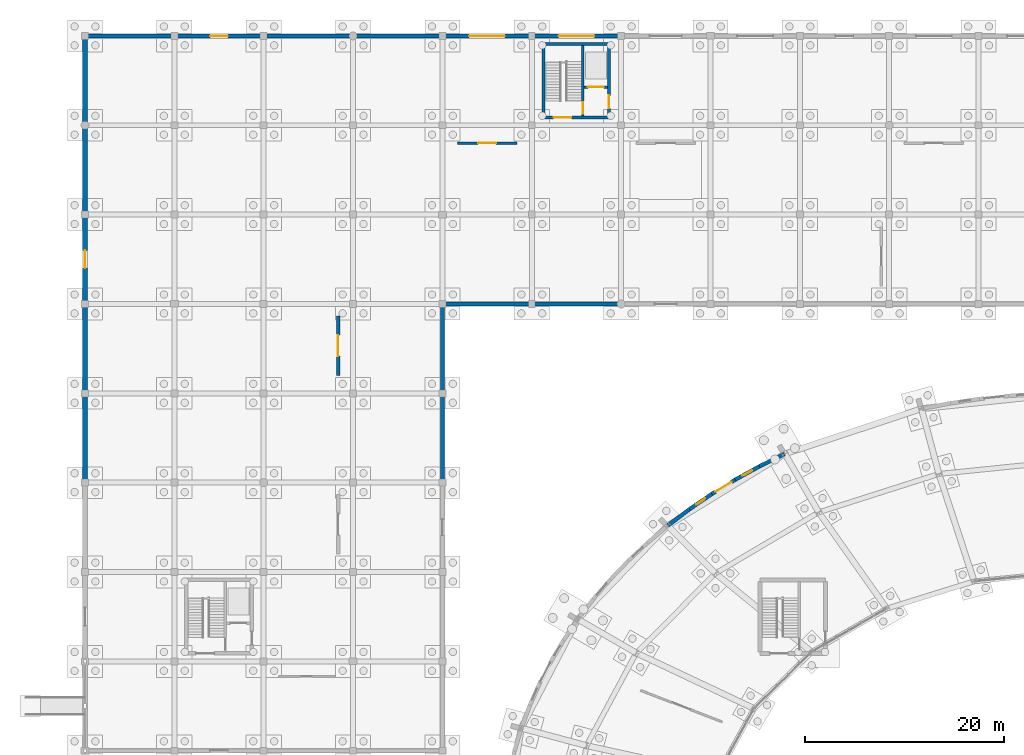
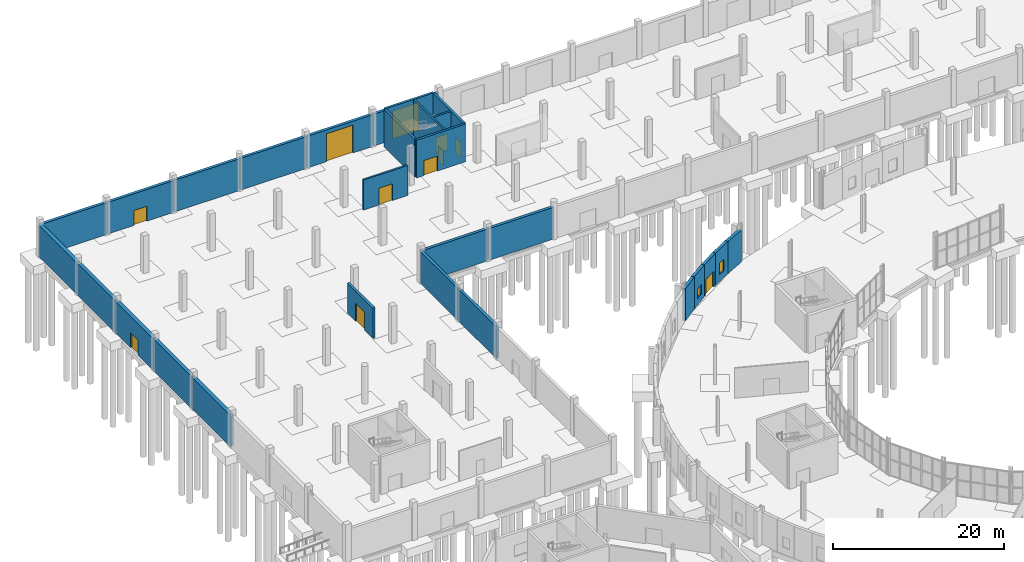
# One storey, part 97 of 118: 28 walls, 11 doors, 2 windows, 13 openings.
"""IFC4 building model written with IfcOpenShell, lengths in metres."""

from ifc_helpers import new_model, si_unit, direction, frame, frame_2d, origin, place, context, subcontext, project, spatial, rectangle, extrude, material, layer, layer_set, type_object, element, fill, save


model = new_model("IFC4")

# Units and contexts
model_context = context("Model", 3, precision=1e-05, world=origin(), true_north=direction((0.0, 1.0)))
body_context = subcontext(model_context, "Body", "Model", "MODEL_VIEW")
ifc_project = project(units=[si_unit("LENGTHUNIT", "METRE"), si_unit("AREAUNIT", "SQUARE_METRE"), si_unit("VOLUMEUNIT", "CUBIC_METRE"), si_unit("PLANEANGLEUNIT", "RADIAN"), si_unit("MASSUNIT", "GRAM", prefix="KILO")], contexts=[model_context])

# Site, building, storey
site_placement = place(None, origin())
site = spatial("IfcSite", under=ifc_project, at=site_placement, CompositionType="ELEMENT")
building_placement = place(site_placement, origin())
building = spatial("IfcBuilding", under=site, at=building_placement, Name="Kildeholm Park Wholesale Market", CompositionType="ELEMENT")
storey_placement = place(building_placement, origin())
storey = spatial("IfcBuildingStorey", under=building, at=storey_placement, Name="L00", CompositionType="ELEMENT", Elevation=0.0)

# Wall
ifc_material_1 = material(Name="Precast concrete C40/50 insulated cold-store envelope wall", Category="concrete")
ifc_layer_1 = layer(ifc_material_1, 0.3798828125)
ifc_layer_set_1 = layer_set([ifc_layer_1], Name="Precast concrete C40/50 insulated cold-store envelope wall")
wall_type_1 = type_object("IfcWallType", Name="Exterior wall W-CS1 380 mm", PredefinedType="SOLIDWALL", material=ifc_layer_set_1)
wall_1_placement = place(storey_placement, frame((0.06005859375, 171.0, 0.0), z_axis=(0.0, 0.0, 1.0), x_axis=(1.0, 0.0, 0.0)))
element("IfcWall", 1, at=wall_1_placement, inside=storey, type_object=wall_type_1, Name="Exterior wall V4N-L00.1 WL-0317", PredefinedType="SOLIDWALL", context=body_context, shape_type="SweptSolid", body=[
    extrude(rectangle(XDim=8.8798828125, YDim=0.3798828125, at=frame_2d((4.43994140625, 0.0))), origin(), (0.0, 0.0, 1.0), 4.550048828125),
])

# Wall, opening, door
wall_2_placement = place(storey_placement, frame((9.06005859375, 171.0, 0.0), z_axis=(0.0, 0.0, 1.0), x_axis=(1.0, 0.0, 0.0)))
wall_2 = element("IfcWall", 2, at=wall_2_placement, inside=storey, type_object=wall_type_1, Name="Exterior wall V4N-L00.2 WL-0318", PredefinedType="SOLIDWALL", context=body_context, shape_type="SweptSolid", body=[
    extrude(rectangle(XDim=8.8798828125, YDim=0.3798828125, at=frame_2d((4.43994140625, 0.0))), origin(), (0.0, 0.0, 1.0), 4.550048828125),
])
opening_1_placement = place(wall_2_placement, frame((3.5400390625, 0.0, 0.0)))
opening_1 = element("IfcOpeningElement", 3, at=opening_1_placement, cuts=wall_2, Name="Opening D-EX05", PredefinedType="OPENING", context=body_context, shape_type="SweptSolid", body=[
    extrude(rectangle(XDim=1.800048828125, YDim=2.14990234375, at=frame_2d((0.89990234375, 1.074951171875))), frame((0.0, 0.199951171875, 0.0), z_axis=(0.0, -1.0, 0.0), x_axis=(1.0, 0.0, 0.0)), (0.0, 0.0, 1.0), 0.39990234375),
])
ifc_material_2 = material(Name="Painted galvanized steel escape doorset", Category="steel")
door_type_1 = type_object("IfcDoorType", Name="Exterior door D-EX05 1800x2150", OperationType="NOTDEFINED", PredefinedType="DOOR", material=ifc_material_2)
door_1_placement = place(opening_1_placement, origin())
door_1 = element("IfcDoor", 4, at=door_1_placement, inside=storey, type_object=door_type_1, Name="Door V4N-L00.2 DR-0019 WL-0318", OperationType="DOUBLE_DOOR_SINGLE_SWING", OverallHeight=2.14990234375, OverallWidth=1.800048828125, PredefinedType="DOOR", context=body_context, shape_type="SweptSolid", body=[
    extrude(rectangle(XDim=1.800048828125, YDim=2.14990234375, at=frame_2d((0.89990234375, 1.074951171875))), frame((0.0, 0.02490234375, 0.0), z_axis=(0.0, -1.0, 0.0), x_axis=(1.0, 0.0, 0.0)), (0.0, 0.0, 1.0), 0.050048828125),
])
fill(opening_1, door_1)

# Walls
for number, where, z_axis, x_axis, name in (
    (5, (18.06005859375, 171.0, 0.0), (0.0, 0.0, 1.0), (1.0, 0.0, 0.0), "Exterior wall V4N-L00.3 WL-0319"),
    (6, (27.06005859375, 171.0, 0.0), (0.0, 0.0, 1.0), (1.0, 0.0, 0.0), "Exterior wall V4N-L00.4 WL-0320"),
):
    element("IfcWall", number, at=place(storey_placement, frame(where, z_axis=z_axis, x_axis=x_axis)), inside=storey, type_object=wall_type_1, Name=name, PredefinedType="SOLIDWALL", context=body_context, shape_type="SweptSolid", body=[
        extrude(rectangle(XDim=8.8798828125, YDim=0.3798828125, at=frame_2d((4.43994140625, 0.0))), origin(), (0.0, 0.0, 1.0), 4.550048828125),
    ])

# Wall, opening, door
wall_3_placement = place(storey_placement, frame((36.06005859375, 171.0, 0.0), z_axis=(0.0, 0.0, 1.0), x_axis=(1.0, 0.0, 0.0)))
wall_3 = element("IfcWall", 7, at=wall_3_placement, inside=storey, type_object=wall_type_1, Name="Exterior wall V4N-L00.5 WL-0321", PredefinedType="SOLIDWALL", context=body_context, shape_type="SweptSolid", body=[
    extrude(rectangle(XDim=8.8798828125, YDim=0.3798828125, at=frame_2d((4.43994140625, 0.0))), origin(), (0.0, 0.0, 1.0), 4.550048828125),
])
opening_2_placement = place(wall_3_placement, frame((2.639892578125, 0.0, 0.0)))
opening_2 = element("IfcOpeningElement", 8, at=opening_2_placement, cuts=wall_3, Name="Opening G-DK02", PredefinedType="OPENING", context=body_context, shape_type="SweptSolid", body=[
    extrude(rectangle(XDim=3.60009765625, YDim=4.0, at=frame_2d((1.800048828125, 2.0))), frame((0.0, 0.199951171875, 0.0), z_axis=(0.0, -1.0, 0.0), x_axis=(1.0, 0.0, 0.0)), (0.0, 0.0, 1.0), 0.39990234375),
])
ifc_material_3 = material(Name="Insulated galvanized steel HGV dock roller shutter", Category="steel")
door_type_2 = type_object("IfcDoorType", Name="Exterior gate G-DK02 3600x4000", OperationType="NOTDEFINED", PredefinedType="GATE", material=ifc_material_3)
door_2_placement = place(opening_2_placement, origin())
door_2 = element("IfcDoor", 9, at=door_2_placement, inside=storey, type_object=door_type_2, Name="Door V4N-L00.5 DR-0020 WL-0321", OperationType="ROLLINGUP", OverallHeight=4.0, OverallWidth=3.60009765625, PredefinedType="GATE", context=body_context, shape_type="SweptSolid", body=[
    extrude(rectangle(XDim=3.60009765625, YDim=4.0, at=frame_2d((1.800048828125, 2.0))), frame((0.0, 0.02490234375, 0.0), z_axis=(0.0, -1.0, 0.0), x_axis=(1.0, 0.0, 0.0)), (0.0, 0.0, 1.0), 0.050048828125),
])
fill(opening_2, door_2)

wall_4_placement = place(storey_placement, frame((45.06005859375, 171.0, 0.0), z_axis=(0.0, 0.0, 1.0), x_axis=(1.0, 0.0, 0.0)))
wall_4 = element("IfcWall", 10, at=wall_4_placement, inside=storey, type_object=wall_type_1, Name="Exterior wall V4N-L00.6 WL-0322", PredefinedType="SOLIDWALL", context=body_context, shape_type="SweptSolid", body=[
    extrude(rectangle(XDim=8.8798828125, YDim=0.3798828125, at=frame_2d((4.43994140625, 0.0))), origin(), (0.0, 0.0, 1.0), 4.550048828125),
])
opening_3_placement = place(wall_4_placement, frame((2.639892578125, 0.0, 0.0)))
opening_3 = element("IfcOpeningElement", 11, at=opening_3_placement, cuts=wall_4, Name="Opening G-DK02", PredefinedType="OPENING", context=body_context, shape_type="SweptSolid", body=[
    extrude(rectangle(XDim=3.60009765625, YDim=4.0, at=frame_2d((1.800048828125, 2.0))), frame((0.0, 0.199951171875, 0.0), z_axis=(0.0, -1.0, 0.0), x_axis=(1.0, 0.0, 0.0)), (0.0, 0.0, 1.0), 0.39990234375),
])
door_3_placement = place(opening_3_placement, origin())
door_3 = element("IfcDoor", 12, at=door_3_placement, inside=storey, type_object=door_type_2, Name="Door V4N-L00.6 DR-0021 WL-0322", OperationType="ROLLINGUP", OverallHeight=4.0, OverallWidth=3.60009765625, PredefinedType="GATE", context=body_context, shape_type="SweptSolid", body=[
    extrude(rectangle(XDim=3.60009765625, YDim=4.0, at=frame_2d((1.800048828125, 2.0))), frame((0.0, 0.02490234375, 0.0), z_axis=(0.0, -1.0, 0.0), x_axis=(1.0, 0.0, 0.0)), (0.0, 0.0, 1.0), 0.050048828125),
])
fill(opening_3, door_3)

# Walls
for number, where, z_axis, x_axis, name in (
    (13, (36.0, 126.06005859375, 0.0), (0.0, 0.0, 1.0), (0.0, 1.0, 0.0), "Exterior wall V4WE-L00.4 WL-0416"),
    (14, (36.0, 135.06005859375, 0.0), (0.0, 0.0, 1.0), (0.0, 1.0, 0.0), "Exterior wall V4WE-L00.5 WL-0417"),
    (15, (36.06005859375, 144.0, 0.0), (0.0, 0.0, 1.0), (1.0, 0.0, 0.0), "Exterior wall V4S-L00.1 WL-0437"),
    (16, (45.06005859375, 144.0, 0.0), (0.0, 0.0, 1.0), (1.0, 0.0, 0.0), "Exterior wall V4S-L00.2 WL-0438"),
):
    element("IfcWall", number, at=place(storey_placement, frame(where, z_axis=z_axis, x_axis=x_axis)), inside=storey, type_object=wall_type_1, Name=name, PredefinedType="SOLIDWALL", context=body_context, shape_type="SweptSolid", body=[
        extrude(rectangle(XDim=8.8798828125, YDim=0.3798828125, at=frame_2d((4.43994140625, 0.0))), origin(), (0.0, 0.0, 1.0), 4.550048828125),
    ])
ifc_material_4 = material(Name="Precast concrete C40/50 deep-freeze thermal envelope wall", Category="concrete")
ifc_layer_2 = layer(ifc_material_4, 0.47998046875)
ifc_layer_set_2 = layer_set([ifc_layer_2], Name="Precast concrete C40/50 deep-freeze thermal envelope wall")
wall_type_2 = type_object("IfcWallType", Name="Exterior wall W-CS2 480 mm", PredefinedType="SOLIDWALL", material=ifc_layer_set_2)
for number, where, z_axis, x_axis, name in (
    (17, (0.0, 126.06005859375, 0.0), (0.0, 0.0, 1.0), (0.0, 1.0, 0.0), "Exterior wall V4W-L00.4 WL-0380"),
    (18, (0.0, 135.06005859375, 0.0), (0.0, 0.0, 1.0), (0.0, 1.0, 0.0), "Exterior wall V4W-L00.5 WL-0381"),
):
    element("IfcWall", number, at=place(storey_placement, frame(where, z_axis=z_axis, x_axis=x_axis)), inside=storey, type_object=wall_type_2, Name=name, PredefinedType="SOLIDWALL", context=body_context, shape_type="SweptSolid", body=[
        extrude(rectangle(XDim=8.8798828125, YDim=0.47998046875, at=frame_2d((4.43994140625, 0.0))), origin(), (0.0, 0.0, 1.0), 4.550048828125),
    ])

# Wall, opening, door
wall_5_placement = place(storey_placement, frame((0.0, 144.06005859375, 0.0), z_axis=(0.0, 0.0, 1.0), x_axis=(0.0, 1.0, 0.0)))
wall_5 = element("IfcWall", 19, at=wall_5_placement, inside=storey, type_object=wall_type_2, Name="Exterior wall V4W-L00.6 WL-0382", PredefinedType="SOLIDWALL", context=body_context, shape_type="SweptSolid", body=[
    extrude(rectangle(XDim=8.8798828125, YDim=0.47998046875, at=frame_2d((4.43994140625, 0.0))), origin(), (0.0, 0.0, 1.0), 4.550048828125),
])
opening_4_placement = place(wall_5_placement, frame((3.5400390625, 0.0, 0.0)))
opening_4 = element("IfcOpeningElement", 20, at=opening_4_placement, cuts=wall_5, Name="Opening D-EX05", PredefinedType="OPENING", context=body_context, shape_type="SweptSolid", body=[
    extrude(rectangle(XDim=1.800048828125, YDim=2.14990234375, at=frame_2d((0.89990234375, 1.074951171875))), frame((0.0, 0.25, 0.0), z_axis=(0.0, -1.0, 0.0), x_axis=(1.0, 0.0, 0.0)), (0.0, 0.0, 1.0), 0.5),
])
door_4_placement = place(opening_4_placement, origin())
door_4 = element("IfcDoor", 21, at=door_4_placement, inside=storey, type_object=door_type_1, Name="Door V4W-L00.6 DR-0036 WL-0382", OperationType="DOUBLE_DOOR_SINGLE_SWING", OverallHeight=2.14990234375, OverallWidth=1.800048828125, PredefinedType="DOOR", context=body_context, shape_type="SweptSolid", body=[
    extrude(rectangle(XDim=1.800048828125, YDim=2.14990234375, at=frame_2d((0.89990234375, 1.074951171875))), frame((0.0, 0.02490234375, 0.0), z_axis=(0.0, -1.0, 0.0), x_axis=(1.0, 0.0, 0.0)), (0.0, 0.0, 1.0), 0.050048828125),
])
fill(opening_4, door_4)

# Walls
for number, where, z_axis, x_axis, name in (
    (22, (0.0, 153.06005859375, 0.0), (0.0, 0.0, 1.0), (0.0, 1.0, 0.0), "Exterior wall V4W-L00.7 WL-0383"),
    (23, (0.0, 162.06005859375, 0.0), (0.0, 0.0, 1.0), (0.0, 1.0, 0.0), "Exterior wall V4W-L00.8 WL-0384"),
):
    element("IfcWall", number, at=place(storey_placement, frame(where, z_axis=z_axis, x_axis=x_axis)), inside=storey, type_object=wall_type_2, Name=name, PredefinedType="SOLIDWALL", context=body_context, shape_type="SweptSolid", body=[
        extrude(rectangle(XDim=8.8798828125, YDim=0.47998046875, at=frame_2d((4.43994140625, 0.0))), origin(), (0.0, 0.0, 1.0), 4.550048828125),
    ])
ifc_material_5 = material(Name="Bornholm granite stone plinth and Concrete C35/45 wall", Category="masonry")
ifc_layer_3 = layer(ifc_material_5, 0.39990234375)
ifc_layer_set_3 = layer_set([ifc_layer_3], Name="Bornholm granite stone plinth and Concrete C35/45 wall")
wall_type_3 = type_object("IfcWallType", Name="Exterior wall W-EX2 400 mm", PredefinedType="SOLIDWALL", material=ifc_layer_set_3)
wall_6_placement = place(storey_placement, frame((70.462890625, 128.886962890625, 0.0), z_axis=(0.0, 0.0, 1.0), x_axis=(-0.898004688797, -0.439985884886, 0.0)))
element("IfcWall", 24, at=wall_6_placement, inside=storey, type_object=wall_type_3, Name="Produce ring outer wall 9.1 WL-0063", PredefinedType="SOLIDWALL", context=body_context, shape_type="SweptSolid", body=[
    extrude(rectangle(XDim=2.81591796875, YDim=0.39990234375, at=frame_2d((1.407958984375, 0.0))), origin(), (0.0, 0.0, 1.0), 4.60009765625),
])
wall_7_placement = place(storey_placement, frame((60.87890625, 123.326904296875, 0.0), z_axis=(0.0, 0.0, 1.0), x_axis=(-0.797585068324, -0.603206481054, 0.0)))
element("IfcWall", 25, at=wall_7_placement, inside=storey, type_object=wall_type_3, Name="Produce ring outer wall 9.5 WL-0067", PredefinedType="SOLIDWALL", context=body_context, shape_type="SweptSolid", body=[
    extrude(rectangle(XDim=2.700439453125, YDim=0.39990234375, at=frame_2d((1.35009765625, 0.0))), origin(), (0.0, 0.0, 1.0), 4.60009765625),
])

# Wall, opening, window
ifc_material_6 = material(Name="Bornholm granite and ceramic-banded hall facade wall", Category="masonry")
ifc_layer_4 = layer(ifc_material_6, 0.389892578125)
ifc_layer_set_4 = layer_set([ifc_layer_4], Name="Bornholm granite and ceramic-banded hall facade wall")
wall_type_4 = type_object("IfcWallType", Name="Exterior wall W-EX5 390 mm", PredefinedType="SOLIDWALL", material=ifc_layer_set_4)
wall_8_placement = place(storey_placement, frame((67.93408203125, 127.64794921875, 0.0), z_axis=(0.0, 0.0, 1.0), x_axis=(-0.876631400762, -0.481162537193, 0.0)))
wall_8 = element("IfcWall", 26, at=wall_8_placement, inside=storey, type_object=wall_type_4, Name="Produce ring outer wall 9.2 WL-0064", PredefinedType="SOLIDWALL", context=body_context, shape_type="SweptSolid", body=[
    extrude(rectangle(XDim=2.7890625, YDim=0.389892578125, at=frame_2d((1.39453125, 0.0))), origin(), (0.0, 0.0, 1.0), 4.60009765625),
])
opening_5_placement = place(wall_8_placement, frame((0.844970703125, 0.0, 0.949951171875)))
opening_5 = element("IfcOpeningElement", 27, at=opening_5_placement, cuts=wall_8, Name="Opening WN-19", PredefinedType="OPENING", context=body_context, shape_type="SweptSolid", body=[
    extrude(rectangle(XDim=1.10009765625, YDim=1.64990234375, at=frame_2d((0.550048828125, 0.824951171875))), frame((0.0, 0.204833984375, 0.0), z_axis=(0.0, -1.0, 0.0), x_axis=(1.0, 0.0, 0.0)), (0.0, 0.0, 1.0), 0.409912109375),
])
ifc_material_7 = material(Name="Thermally broken aluminium and triple-glazed low-E glass", Category="aluminium")
window_type_1 = type_object("IfcWindowType", Name="Window WN-19 1100x1650", PartitioningType="SINGLE_PANEL", PredefinedType="WINDOW", material=ifc_material_7)
window_1_placement = place(opening_5_placement, origin())
window_1 = element("IfcWindow", 28, at=window_1_placement, inside=storey, type_object=window_type_1, Name="Produce hall arcade window 9.1 WIN-0013", OverallHeight=1.64990234375, OverallWidth=1.10009765625, PartitioningType="SINGLE_PANEL", PredefinedType="WINDOW", context=body_context, shape_type="SweptSolid", body=[
    extrude(rectangle(XDim=1.10009765625, YDim=1.64990234375, at=frame_2d((0.550048828125, 0.824951171875))), frame((0.0, 0.030029296875, 0.0), z_axis=(0.0, -1.0, 0.0), x_axis=(1.0, 0.0, 0.0)), (0.0, 0.0, 1.0), 0.06005859375),
])
fill(opening_5, window_1)

# Wall, opening, door
wall_9_placement = place(storey_placement, frame((65.489013671875, 126.305908203125, 0.0), z_axis=(0.0, 0.0, 1.0), x_axis=(-0.852743581926, -0.522329765075, 0.0)))
wall_9 = element("IfcWall", 29, at=wall_9_placement, inside=storey, type_object=wall_type_4, Name="Produce ring outer wall 9.3 WL-0065", PredefinedType="SOLIDWALL", context=body_context, shape_type="SweptSolid", body=[
    extrude(rectangle(XDim=2.760498046875, YDim=0.389892578125, at=frame_2d((1.38037109375, 0.0))), origin(), (0.0, 0.0, 1.0), 4.60009765625),
])
opening_6_placement = place(wall_9_placement, frame((0.429931640625, 0.0, 0.0)))
opening_6 = element("IfcOpeningElement", 30, at=opening_6_placement, cuts=wall_9, Name="Opening D-EX09", PredefinedType="OPENING", context=body_context, shape_type="SweptSolid", body=[
    extrude(rectangle(XDim=1.89990234375, YDim=2.25, at=frame_2d((0.949951171875, 1.125))), frame((0.0, 0.204833984375, 0.0), z_axis=(0.0, -1.0, 0.0), x_axis=(1.0, 0.0, 0.0)), (0.0, 0.0, 1.0), 0.409912109375),
])
ifc_material_8 = material(Name="Anodised aluminium hall double entrance", Category="aluminium")
door_type_3 = type_object("IfcDoorType", Name="Exterior door D-EX09 1900x2250", OperationType="NOTDEFINED", PredefinedType="DOOR", material=ifc_material_8)
door_5_placement = place(opening_6_placement, frame((1.89990234375, 0.0, 0.0), z_axis=(0.0, 0.0, 1.0), x_axis=(-1.0, 0.0, 0.0)))
door_5 = element("IfcDoor", 31, at=door_5_placement, inside=storey, type_object=door_type_3, Name="Produce hall public exit 9 DR-0004 WL-0065", OperationType="DOUBLE_DOOR_SINGLE_SWING", OverallHeight=2.25, OverallWidth=1.89990234375, PredefinedType="DOOR", context=body_context, shape_type="SweptSolid", body=[
    extrude(rectangle(XDim=1.89990234375, YDim=2.25, at=frame_2d((0.949951171875, 1.125))), frame((0.0, 0.02490234375, 0.0), z_axis=(0.0, -1.0, 0.0), x_axis=(1.0, 0.0, 0.0)), (0.0, 0.0, 1.0), 0.050048828125),
])
fill(opening_6, door_5)

# Wall, opening, window
wall_10_placement = place(storey_placement, frame((63.135009765625, 124.864013671875, 0.0), z_axis=(0.0, 0.0, 1.0), x_axis=(-0.826422172457, -0.563050968271, 0.0)))
wall_10 = element("IfcWall", 32, at=wall_10_placement, inside=storey, type_object=wall_type_4, Name="Produce ring outer wall 9.4 WL-0066", PredefinedType="SOLIDWALL", context=body_context, shape_type="SweptSolid", body=[
    extrude(rectangle(XDim=2.72998046875, YDim=0.389892578125, at=frame_2d((1.364990234375, 0.0))), origin(), (0.0, 0.0, 1.0), 4.60009765625),
])
opening_7_placement = place(wall_10_placement, frame((0.840087890625, 0.0, 0.949951171875)))
opening_7 = element("IfcOpeningElement", 33, at=opening_7_placement, cuts=wall_10, Name="Opening WN-26", PredefinedType="OPENING", context=body_context, shape_type="SweptSolid", body=[
    extrude(rectangle(XDim=1.050048828125, YDim=1.35009765625, at=frame_2d((0.52490234375, 0.675048828125))), frame((0.0, 0.204833984375, 0.0), z_axis=(0.0, -1.0, 0.0), x_axis=(1.0, 0.0, 0.0)), (0.0, 0.0, 1.0), 0.409912109375),
])
window_type_2 = type_object("IfcWindowType", Name="Window WN-26 1050x1350", PartitioningType="SINGLE_PANEL", PredefinedType="WINDOW", material=ifc_material_7)
window_2_placement = place(opening_7_placement, origin())
window_2 = element("IfcWindow", 34, at=window_2_placement, inside=storey, type_object=window_type_2, Name="Produce hall arcade window 9.3 WIN-0014", OverallHeight=1.35009765625, OverallWidth=1.050048828125, PartitioningType="SINGLE_PANEL", PredefinedType="WINDOW", context=body_context, shape_type="SweptSolid", body=[
    extrude(rectangle(XDim=1.050048828125, YDim=1.35009765625, at=frame_2d((0.52490234375, 0.675048828125))), frame((0.0, 0.030029296875, 0.0), z_axis=(0.0, -1.0, 0.0), x_axis=(1.0, 0.0, 0.0)), (0.0, 0.0, 1.0), 0.06005859375),
])
fill(opening_7, window_2)

# Wall, opening, door
ifc_material_9 = material(Name="High-insulation chiller compartment wall")
ifc_layer_5 = layer(ifc_material_9, 0.260009765625)
ifc_layer_set_5 = layer_set([ifc_layer_5], Name="High-insulation chiller compartment wall")
wall_type_5 = type_object("IfcWallType", Name="Partition W-PT10 260 mm", PredefinedType="PARTITIONING", material=ifc_layer_set_5)
wall_11_placement = place(storey_placement, frame((37.5, 160.199951171875, 0.0), z_axis=(0.0, 0.0, 1.0), x_axis=(1.0, 0.0, 0.0)))
wall_11 = element("IfcWall", 35, at=wall_11_placement, inside=storey, type_object=wall_type_5, Name="Interior partition W-V4-L00-CSN01 WL-0970", PredefinedType="PARTITIONING", context=body_context, shape_type="SweptSolid", body=[
    extrude(rectangle(XDim=6.0, YDim=0.260009765625, at=frame_2d((3.0, 0.0))), origin(), (0.0, 0.0, 1.0), 4.300048828125),
])
opening_8_placement = place(wall_11_placement, frame((2.10009765625, 0.0, 0.0)))
opening_8 = element("IfcOpeningElement", 36, at=opening_8_placement, cuts=wall_11, Name="Opening D-CS01", PredefinedType="OPENING", context=body_context, shape_type="SweptSolid", body=[
    extrude(rectangle(XDim=1.800048828125, YDim=2.39990234375, at=frame_2d((0.89990234375, 1.199951171875))), frame((0.0, 0.139892578125, 0.0), z_axis=(0.0, -1.0, 0.0), x_axis=(1.0, 0.0, 0.0)), (0.0, 0.0, 1.0), 0.280029296875),
])
ifc_material_10 = material(Name="Insulated stainless-steel sliding cold-store door", Category="steel")
door_type_4 = type_object("IfcDoorType", Name="Interior door D-CS01 1800x2400", OperationType="NOTDEFINED", PredefinedType="DOOR", material=ifc_material_10)
door_6_placement = place(opening_8_placement, origin())
door_6 = element("IfcDoor", 37, at=door_6_placement, inside=storey, type_object=door_type_4, Name="Interior door V4-L00-CSN01 DR-0245 WL-0970", OperationType="SLIDING_TO_LEFT", OverallHeight=2.39990234375, OverallWidth=1.800048828125, PredefinedType="DOOR", context=body_context, shape_type="SweptSolid", body=[
    extrude(rectangle(XDim=1.800048828125, YDim=2.39990234375, at=frame_2d((0.89990234375, 1.199951171875))), frame((0.0, 0.02490234375, 0.0), z_axis=(0.0, -1.0, 0.0), x_axis=(1.0, 0.0, 0.0)), (0.0, 0.0, 1.0), 0.050048828125),
])
fill(opening_8, door_6)

ifc_material_11 = material(Name="Deep-freeze internal thermal barrier wall")
ifc_layer_6 = layer(ifc_material_11, 0.320068359375)
ifc_layer_set_6 = layer_set([ifc_layer_6], Name="Deep-freeze internal thermal barrier wall")
wall_type_6 = type_object("IfcWallType", Name="Partition W-PT11 320 mm", PredefinedType="PARTITIONING", material=ifc_layer_set_6)
wall_12_placement = place(storey_placement, frame((25.5, 136.800048828125, 0.0), z_axis=(0.0, 0.0, 1.0), x_axis=(0.0, 1.0, 0.0)))
wall_12 = element("IfcWall", 38, at=wall_12_placement, inside=storey, type_object=wall_type_6, Name="Interior partition W-V4-L00-FZE1 WL-0980", PredefinedType="PARTITIONING", context=body_context, shape_type="SweptSolid", body=[
    extrude(rectangle(XDim=6.0, YDim=0.320068359375, at=frame_2d((3.0, 0.0))), origin(), (0.0, 0.0, 1.0), 4.300048828125),
])
opening_9_placement = place(wall_12_placement, frame((1.949951171875, 0.0, 0.0)))
opening_9 = element("IfcOpeningElement", 39, at=opening_9_placement, cuts=wall_12, Name="Opening D-CS02", PredefinedType="OPENING", context=body_context, shape_type="SweptSolid", body=[
    extrude(rectangle(XDim=2.10009765625, YDim=2.60009765625, at=frame_2d((1.050048828125, 1.300048828125))), frame((0.0, 0.169921875, 0.0), z_axis=(0.0, -1.0, 0.0), x_axis=(1.0, 0.0, 0.0)), (0.0, 0.0, 1.0), 0.340087890625),
])
ifc_material_12 = material(Name="Insulated stainless-steel pallet freezer sliding door", Category="steel")
door_type_5 = type_object("IfcDoorType", Name="Interior door D-CS02 2100x2600", OperationType="NOTDEFINED", PredefinedType="DOOR", material=ifc_material_12)
door_7_placement = place(opening_9_placement, origin())
door_7 = element("IfcDoor", 40, at=door_7_placement, inside=storey, type_object=door_type_5, Name="Interior door V4-L00-FZE1 DR-0255 WL-0980", OperationType="SLIDING_TO_LEFT", OverallHeight=2.60009765625, OverallWidth=2.10009765625, PredefinedType="DOOR", context=body_context, shape_type="SweptSolid", body=[
    extrude(rectangle(XDim=2.10009765625, YDim=2.60009765625, at=frame_2d((1.050048828125, 1.300048828125))), frame((0.0, 0.02490234375, 0.0), z_axis=(0.0, -1.0, 0.0), x_axis=(1.0, 0.0, 0.0)), (0.0, 0.0, 1.0), 0.050048828125),
])
fill(opening_9, door_7)

ifc_material_13 = material(Name="Concrete C40/50", Category="concrete")
ifc_layer_7 = layer(ifc_material_13, 0.300048828125)
ifc_layer_set_7 = layer_set([ifc_layer_7], Name="Concrete C40/50")
wall_type_7 = type_object("IfcWallType", Name="Shear wall W-SH1 300 mm", PredefinedType="SHEAR", material=ifc_layer_set_7)
wall_13_placement = place(storey_placement, frame((46.199951171875, 162.800048828125, 0.0), z_axis=(0.0, 0.0, 1.0), x_axis=(1.0, 0.0, 0.0)))
wall_13 = element("IfcWall", 41, at=wall_13_placement, inside=storey, type_object=wall_type_7, Name="Core C02 south shear wall L00 WL-0665", PredefinedType="SHEAR", context=body_context, shape_type="SweptSolid", body=[
    extrude(rectangle(XDim=6.60009765625, YDim=0.300048828125, at=frame_2d((3.300048828125, 0.0))), origin(), (0.0, 0.0, 1.0), 5.39990234375),
])
opening_10_placement = place(wall_13_placement, frame((1.0, 0.0, 0.0)))
opening_10 = element("IfcOpeningElement", 42, at=opening_10_placement, cuts=wall_13, Name="Opening D-EX05", PredefinedType="OPENING", context=body_context, shape_type="SweptSolid", body=[
    extrude(rectangle(XDim=1.800048828125, YDim=2.14990234375, at=frame_2d((0.89990234375, 1.074951171875))), frame((0.0, 0.159912109375, 0.0), z_axis=(0.0, -1.0, 0.0), x_axis=(1.0, 0.0, 0.0)), (0.0, 0.0, 1.0), 0.320068359375),
])
door_8_placement = place(opening_10_placement, frame((1.800048828125, 0.0, 0.0), z_axis=(0.0, 0.0, 1.0), x_axis=(-1.0, 0.0, 0.0)))
door_8 = element("IfcDoor", 43, at=door_8_placement, inside=storey, type_object=door_type_1, Name="Core C02 grade stair discharge door DR-0084 WL-0665", OperationType="DOUBLE_DOOR_SINGLE_SWING", OverallHeight=2.14990234375, OverallWidth=1.800048828125, PredefinedType="DOOR", context=body_context, shape_type="SweptSolid", body=[
    extrude(rectangle(XDim=1.800048828125, YDim=2.14990234375, at=frame_2d((0.89990234375, 1.074951171875))), frame((0.0, 0.02490234375, 0.0), z_axis=(0.0, -1.0, 0.0), x_axis=(1.0, 0.0, 0.0)), (0.0, 0.0, 1.0), 0.050048828125),
])
fill(opening_10, door_8)

# Walls
wall_14_placement = place(storey_placement, frame((46.199951171875, 170.199951171875, 0.0), z_axis=(0.0, 0.0, 1.0), x_axis=(1.0, 0.0, 0.0)))
element("IfcWall", 44, at=wall_14_placement, inside=storey, type_object=wall_type_7, Name="Core C02 north shear wall L00 WL-0666", PredefinedType="SHEAR", context=body_context, shape_type="SweptSolid", body=[
    extrude(rectangle(XDim=6.60009765625, YDim=0.300048828125, at=frame_2d((3.300048828125, 0.0))), origin(), (0.0, 0.0, 1.0), 5.39990234375),
])
wall_15_placement = place(storey_placement, frame((46.199951171875, 162.949951171875, 0.0), z_axis=(0.0, 0.0, 1.0), x_axis=(0.0, 1.0, 0.0)))
element("IfcWall", 45, at=wall_15_placement, inside=storey, type_object=wall_type_7, Name="Core C02 west shear wall L00 WL-0667", PredefinedType="SHEAR", context=body_context, shape_type="SweptSolid", body=[
    extrude(rectangle(XDim=7.10009765625, YDim=0.300048828125, at=frame_2d((3.550048828125, 0.0))), origin(), (0.0, 0.0, 1.0), 5.39990234375),
])

# Wall, opening, door
wall_16_placement = place(storey_placement, frame((52.800048828125, 162.949951171875, 0.0), z_axis=(0.0, 0.0, 1.0), x_axis=(0.0, 1.0, 0.0)))
wall_16 = element("IfcWall", 46, at=wall_16_placement, inside=storey, type_object=wall_type_7, Name="Core C02 east shear wall L00 WL-0668", PredefinedType="SHEAR", context=body_context, shape_type="SweptSolid", body=[
    extrude(rectangle(XDim=7.10009765625, YDim=0.300048828125, at=frame_2d((3.550048828125, 0.0))), origin(), (0.0, 0.0, 1.0), 5.39990234375),
])
opening_11_placement = place(wall_16_placement, frame((0.75, 0.0, 0.0)))
opening_11 = element("IfcOpeningElement", 47, at=opening_11_placement, cuts=wall_16, Name="Opening D-CR02", PredefinedType="OPENING", context=body_context, shape_type="SweptSolid", body=[
    extrude(rectangle(XDim=1.300048828125, YDim=2.14990234375, at=frame_2d((0.64990234375, 1.074951171875))), frame((0.0, 0.159912109375, 0.0), z_axis=(0.0, -1.0, 0.0), x_axis=(1.0, 0.0, 0.0)), (0.0, 0.0, 1.0), 0.320068359375),
])
ifc_material_14 = material(Name="Painted steel core lobby double-leaf doorset", Category="steel")
door_type_6 = type_object("IfcDoorType", Name="Interior door D-CR02 1300x2150", OperationType="NOTDEFINED", PredefinedType="DOOR", material=ifc_material_14)
door_9_placement = place(opening_11_placement, frame((1.300048828125, 0.0, 0.0), z_axis=(0.0, 0.0, 1.0), x_axis=(-1.0, 0.0, 0.0)))
door_9 = element("IfcDoor", 48, at=door_9_placement, inside=storey, type_object=door_type_6, Name="Core C02 lobby entrance door L00 DR-0082 WL-0668", OperationType="DOUBLE_DOOR_SINGLE_SWING", OverallHeight=2.14990234375, OverallWidth=1.300048828125, PredefinedType="DOOR", context=body_context, shape_type="SweptSolid", body=[
    extrude(rectangle(XDim=1.300048828125, YDim=2.14990234375, at=frame_2d((0.64990234375, 1.074951171875))), frame((0.0, 0.02490234375, 0.0), z_axis=(0.0, -1.0, 0.0), x_axis=(1.0, 0.0, 0.0)), (0.0, 0.0, 1.0), 0.050048828125),
])
fill(opening_11, door_9)

ifc_layer_8 = layer(ifc_material_13, 0.25)
ifc_layer_set_8 = layer_set([ifc_layer_8], Name="Concrete C40/50")
wall_type_8 = type_object("IfcWallType", Name="Shear wall W-SH2 250 mm", PredefinedType="SHEAR", material=ifc_layer_set_8)
wall_17_placement = place(storey_placement, frame((50.14990234375, 162.949951171875, 0.0), z_axis=(0.0, 0.0, 1.0), x_axis=(0.0, 1.0, 0.0)))
wall_17 = element("IfcWall", 49, at=wall_17_placement, inside=storey, type_object=wall_type_8, Name="Core C02 shaft wall L00 WL-0669", PredefinedType="SHEAR", context=body_context, shape_type="SweptSolid", body=[
    extrude(rectangle(XDim=7.10009765625, YDim=0.25, at=frame_2d((3.550048828125, 0.0))), origin(), (0.0, 0.0, 1.0), 5.39990234375),
])
opening_12_placement = place(wall_17_placement, frame((0.199951171875, 0.0, 0.0)))
opening_12 = element("IfcOpeningElement", 50, at=opening_12_placement, cuts=wall_17, Name="Opening D-CR01", PredefinedType="OPENING", context=body_context, shape_type="SweptSolid", body=[
    extrude(rectangle(XDim=1.14990234375, YDim=2.14990234375, at=frame_2d((0.574951171875, 1.074951171875))), frame((0.0, 0.135009765625, 0.0), z_axis=(0.0, -1.0, 0.0), x_axis=(1.0, 0.0, 0.0)), (0.0, 0.0, 1.0), 0.27001953125),
])
ifc_material_15 = material(Name="Painted steel fire escape doorset", Category="steel")
door_type_7 = type_object("IfcDoorType", Name="Interior door D-CR01 1150x2150", OperationType="NOTDEFINED", PredefinedType="DOOR", material=ifc_material_15)
door_10_placement = place(opening_12_placement, origin())
door_10 = element("IfcDoor", 51, at=door_10_placement, inside=storey, type_object=door_type_7, Name="Core C02 stair fire door L00 DR-0083 WL-0669", OperationType="SINGLE_SWING_RIGHT", OverallHeight=2.14990234375, OverallWidth=1.14990234375, PredefinedType="DOOR", context=body_context, shape_type="SweptSolid", body=[
    extrude(rectangle(XDim=1.14990234375, YDim=2.14990234375, at=frame_2d((0.574951171875, 1.074951171875))), frame((0.0, 0.02490234375, 0.0), z_axis=(0.0, -1.0, 0.0), x_axis=(1.0, 0.0, 0.0)), (0.0, 0.0, 1.0), 0.050048828125),
])
fill(opening_12, door_10)

wall_18_placement = place(storey_placement, frame((50.27001953125, 165.85009765625, 0.0), z_axis=(0.0, 0.0, 1.0), x_axis=(1.0, 0.0, 0.0)))
wall_18 = element("IfcWall", 52, at=wall_18_placement, inside=storey, type_object=wall_type_8, Name="Lift LF-07 shaft front wall L00 WL-0670", PredefinedType="SHEAR", context=body_context, shape_type="SweptSolid", body=[
    extrude(rectangle(XDim=2.3798828125, YDim=0.25, at=frame_2d((1.18994140625, 0.0))), origin(), (0.0, 0.0, 1.0), 5.39990234375),
])
opening_13_placement = place(wall_18_placement, frame((0.389892578125, 0.0, 0.0)))
opening_13 = element("IfcOpeningElement", 53, at=opening_13_placement, cuts=wall_18, Name="Opening LD-07", PredefinedType="OPENING", context=body_context, shape_type="SweptSolid", body=[
    extrude(rectangle(XDim=1.60009765625, YDim=2.300048828125, at=frame_2d((0.800048828125, 1.14990234375))), frame((0.0, 0.135009765625, 0.0), z_axis=(0.0, -1.0, 0.0), x_axis=(1.0, 0.0, 0.0)), (0.0, 0.0, 1.0), 0.27001953125),
])
ifc_material_16 = material(Name="Stainless steel AISI 316 goods lift landing door", Category="steel")
door_type_8 = type_object("IfcDoorType", Name="Interior door D-LD02 1600x2300", OperationType="NOTDEFINED", PredefinedType="DOOR", material=ifc_material_16)
door_11_placement = place(opening_13_placement, origin())
door_11 = element("IfcDoor", 54, at=door_11_placement, inside=storey, type_object=door_type_8, Name="Lift LF-07 sliding landing door L00 DR-0085 WL-0670", OperationType="SLIDING_TO_LEFT", OverallHeight=2.300048828125, OverallWidth=1.60009765625, PredefinedType="DOOR", context=body_context, shape_type="SweptSolid", body=[
    extrude(rectangle(XDim=1.60009765625, YDim=2.300048828125, at=frame_2d((0.800048828125, 1.14990234375))), frame((0.0, 0.02490234375, 0.0), z_axis=(0.0, -1.0, 0.0), x_axis=(1.0, 0.0, 0.0)), (0.0, 0.0, 1.0), 0.050048828125),
])
fill(opening_13, door_11)

save(model, "model.ifc")
